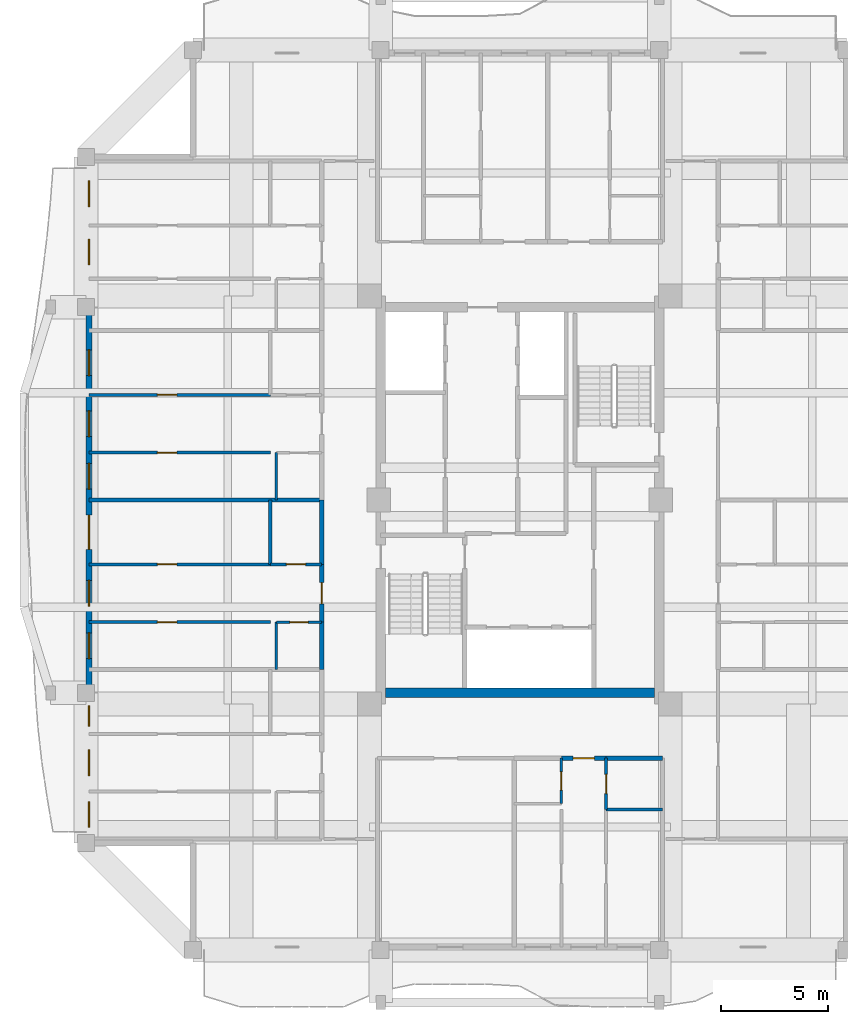
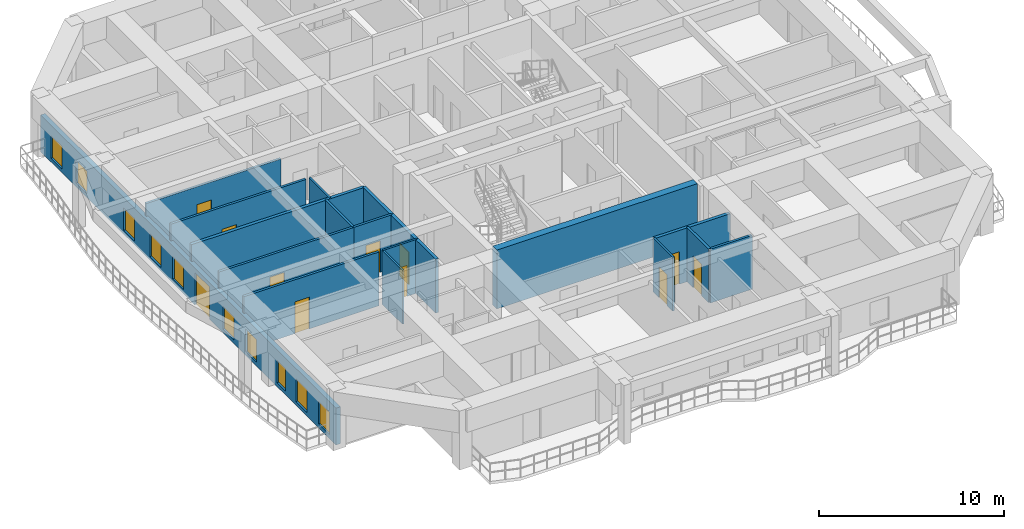
# One storey, part 3 of 13: 20 walls, 11 doors, 10 windows, 21 openings.
"""IFC4 building model written with IfcOpenShell, lengths in metres."""

import ifcopenshell
import ifcopenshell.guid

model = None  # the IFC model being written
_history = None  # IfcOwnerHistory: only IFC2X3 demands one
_inside = {}  # id of a spatial element -> (the spatial element, [elements in it])
_under = {}  # id of a project, library or spatial element -> (it, [spatial elements below it])
_declared = {}  # id of a project -> (the project, [libraries it declares])
_typed = {}  # id of a type object -> (the type object, [elements of that type])
_made_of = {}  # id of a material, layer set ... -> (it, [elements and type objects made of it])


def new_model(schema):
    """Start an empty IFC model of exactly this schema.

    Asked for "IFC4X3", IfcOpenShell would pick the latest addendum, in which some entities
    have other attributes; the version numbers below select the first issue.
    IFC2X3 requires an IfcOwnerHistory on every rooted entity: one is made here for all.
    """
    global model, _history
    if schema == "IFC4X3":
        model = ifcopenshell.file(schema_version=(4, 3, 0, 0))
    else:
        model = ifcopenshell.file(schema=schema)
    _inside.clear()
    _under.clear()
    _declared.clear()
    _typed.clear()
    _made_of.clear()
    _history = None
    if model.schema == "IFC2X3":
        org = make("IfcOrganization", Name="unknown")
        user = make(
            "IfcPersonAndOrganization",
            ThePerson=make("IfcPerson", FamilyName="unknown"),
            TheOrganization=org,
        )
        app = make(
            "IfcApplication",
            ApplicationDeveloper=org,
            Version="unknown",
            ApplicationFullName="unknown",
            ApplicationIdentifier="unknown",
        )
        _history = make(
            "IfcOwnerHistory",
            OwningUser=user,
            OwningApplication=app,
            ChangeAction="ADDED",
            CreationDate=0,
        )
    return model


def make(cls, **values):
    """One entity of the class cls with the attributes given. An attribute that is None is left unset."""
    return model.create_entity(
        cls, **{name: value for name, value in values.items() if value is not None}
    )


def rooted(cls, **values):
    """An entity with a GlobalId (a new one), such as an element, a storey or a relation."""
    return make(cls, GlobalId=ifcopenshell.guid.new(), OwnerHistory=_history, **values)


def si_unit(unit_type, name, prefix=None):
    """IfcSIUnit, for example si_unit("LENGTHUNIT", "METRE", prefix="MILLI")."""
    return make("IfcSIUnit", UnitType=unit_type, Prefix=prefix, Name=name)


def assignment(units):
    """IfcUnitAssignment: the units of a project."""
    return None if units is None else make("IfcUnitAssignment", Units=units)


def point(xyz):
    """IfcCartesianPoint."""
    return None if xyz is None else make("IfcCartesianPoint", Coordinates=xyz)


def direction(xyz):
    """IfcDirection."""
    return None if xyz is None else make("IfcDirection", DirectionRatios=xyz)


def frame(location, z_axis=None, x_axis=None):
    """IfcAxis2Placement3D, a coordinate frame: its origin and axes. An axis left out is left unset."""
    return make(
        "IfcAxis2Placement3D",
        Location=point(location),
        Axis=direction(z_axis),
        RefDirection=direction(x_axis),
    )


def frame_2d(location, x_axis=None):
    """IfcAxis2Placement2D, a coordinate frame in the plane: its origin and x axis."""
    return make(
        "IfcAxis2Placement2D", Location=point(location), RefDirection=direction(x_axis)
    )


def origin():
    """The frame at (0, 0, 0) with its axes left unset."""
    return frame((0.0, 0.0, 0.0))


def place(relative_to, where):
    """IfcLocalPlacement: puts the frame where relative to a parent placement (None: the world)."""
    return make(
        "IfcLocalPlacement", PlacementRelTo=relative_to, RelativePlacement=where
    )


def context(
    kind, dimensions, precision=None, world=None, true_north=None, identifier=None
):
    """IfcGeometricRepresentationContext, for example the 3D "Model" context."""
    return make(
        "IfcGeometricRepresentationContext",
        ContextIdentifier=identifier,
        ContextType=kind,
        CoordinateSpaceDimension=dimensions,
        Precision=precision,
        WorldCoordinateSystem=world,
        TrueNorth=true_north,
    )


def subcontext(parent, identifier, kind, view, scale=None):
    """IfcGeometricRepresentationSubContext, for example "Body" below "Model"."""
    return make(
        "IfcGeometricRepresentationSubContext",
        ContextIdentifier=identifier,
        ContextType=kind,
        ParentContext=parent,
        TargetScale=scale,
        TargetView=view,
    )


def project(units=None, contexts=None):
    """IfcProject with its units and contexts."""
    return rooted(
        "IfcProject",
        Name="project",
        RepresentationContexts=contexts,
        UnitsInContext=assignment(units),
    )


def spatial(cls, under=None, at=None, **own):
    """A site, building, storey or space (cls), placed at a placement, below another one or the project."""
    s = rooted(cls, ObjectPlacement=at, **own)
    if under is not None:
        _under.setdefault(under.id(), (under, []))[1].append(s)
    return s


def profile(cls, at=None, kind="AREA", **sizes):
    """A parametric profile (cls). Its sizes go by their IFC names, for example OverallWidth=200.0."""
    return make(cls, ProfileType=kind, Position=at, **sizes)


def rectangle(**sizes):
    """IfcRectangleProfileDef."""
    return profile("IfcRectangleProfileDef", **sizes)


def extrude(swept, where, along, depth):
    """IfcExtrudedAreaSolid: the profile swept, set in the frame where, extruded along a direction by depth."""
    return make(
        "IfcExtrudedAreaSolid",
        SweptArea=swept,
        Position=where,
        ExtrudedDirection=direction(along),
        Depth=depth,
    )


def shape(context_of_items, identifier, shape_type, items):
    """IfcShapeRepresentation: the items that make up one representation, for example the "Body"."""
    return make(
        "IfcShapeRepresentation",
        ContextOfItems=context_of_items,
        RepresentationIdentifier=identifier,
        RepresentationType=shape_type,
        Items=items,
    )


def source(mapping_origin, context_of_items, identifier, shape_type, items):
    """IfcRepresentationMap: a shape defined once, which mapped items show again and again."""
    return make(
        "IfcRepresentationMap",
        MappingOrigin=mapping_origin,
        MappedRepresentation=shape(context_of_items, identifier, shape_type, items),
    )


def transform(
    local_origin,
    x_axis=None,
    y_axis=None,
    z_axis=None,
    scale=None,
    scale2=None,
    scale3=None,
    uniform=True,
):
    """IfcCartesianTransformationOperator3D, or its non-uniform kind. x_axis, y_axis, z_axis: its Axis1, 2, 3."""
    if uniform:
        return make(
            "IfcCartesianTransformationOperator3D",
            Axis1=direction(x_axis),
            Axis2=direction(y_axis),
            LocalOrigin=point(local_origin),
            Scale=scale,
            Axis3=direction(z_axis),
        )
    return make(
        "IfcCartesianTransformationOperator3DnonUniform",
        Axis1=direction(x_axis),
        Axis2=direction(y_axis),
        LocalOrigin=point(local_origin),
        Scale=scale,
        Axis3=direction(z_axis),
        Scale2=scale2,
        Scale3=scale3,
    )


def mapped(mapping_source, mapping_target):
    """IfcMappedItem: shows the shape of a source again, moved by a transform."""
    return make(
        "IfcMappedItem", MappingSource=mapping_source, MappingTarget=mapping_target
    )


def material(Name=None, Category=None):
    """IfcMaterial."""
    return make("IfcMaterial", Name=Name, Category=Category)


def layer(
    of_material, thickness, ventilated=None, Name=None, Category=None, Priority=None
):
    """IfcMaterialLayer: one layer of a wall or slab, of a material (None: an air gap)."""
    return make(
        "IfcMaterialLayer",
        Material=of_material,
        LayerThickness=thickness,
        IsVentilated=ventilated,
        Name=Name,
        Category=Category,
        Priority=Priority,
    )


def layer_set(layers, Name=None):
    """IfcMaterialLayerSet."""
    return make("IfcMaterialLayerSet", MaterialLayers=layers, LayerSetName=Name)


def made_of(thing, what):
    """Note that an element or type object is made of a material, layer set ...; save() writes the relation."""
    if what is not None:
        _made_of.setdefault(what.id(), (what, []))[1].append(thing)
    return thing


def type_object(cls, material=None, **own):
    """A type object (cls), such as IfcWallType, which elements share."""
    return made_of(rooted(cls, **own), material)


def element(
    cls,
    number,
    at=None,
    inside=None,
    cuts=None,
    type_object=None,
    material=None,
    context=None,
    identifier="Body",
    shape_type=None,
    held_by="IfcProductDefinitionShape",
    body=None,
    shapes=None,
    **own,
):
    """One element of the class cls, such as IfcWall. Its Tag is "e" and its number.

    at: its placement. inside: the storey or other place that contains it. cuts: it is an
    opening in that element (IfcRelVoidsElement). A single representation is given by context,
    identifier, shape_type and body (its items); several are given by shapes. held_by: the class
    of the entity that holds the representations. save() writes the other relations.
    """
    e = rooted(cls, Tag="e%d" % number, ObjectPlacement=at, **own)
    if body is not None:
        shapes = [shape(context, identifier, shape_type, body)]
    if shapes is not None:
        e.Representation = make(held_by, Representations=shapes)
    if inside is not None:
        _inside.setdefault(inside.id(), (inside, []))[1].append(e)
    if cuts is not None:
        rooted(
            "IfcRelVoidsElement", RelatingBuildingElement=cuts, RelatedOpeningElement=e
        )
    if type_object is not None:
        _typed.setdefault(type_object.id(), (type_object, []))[1].append(e)
    return made_of(e, material)


def fill(opening, filler):
    """IfcRelFillsElement: the door or window that sits in an opening."""
    return rooted(
        "IfcRelFillsElement",
        RelatingOpeningElement=opening,
        RelatedBuildingElement=filler,
    )


def aggregate(whole, parts):
    """IfcRelAggregates: a whole, such as a stair, and the parts it consists of."""
    return rooted("IfcRelAggregates", RelatingObject=whole, RelatedObjects=parts)


def save(model, path):
    """Write the relations noted so far, then the file.

    IfcRelAggregates (storeys below a building ...), IfcRelContainedInSpatialStructure (elements
    in a storey), IfcRelDefinesByType, IfcRelAssociatesMaterial and IfcRelDeclares: one each for
    every whole, place, type object, material and project.
    """
    for whole, parts in _under.values():
        aggregate(whole, parts)
    for where, things in _inside.values():
        rooted(
            "IfcRelContainedInSpatialStructure",
            RelatedElements=things,
            RelatingStructure=where,
        )
    for kind, things in _typed.values():
        rooted("IfcRelDefinesByType", RelatedObjects=things, RelatingType=kind)
    for what, things in _made_of.values():
        rooted("IfcRelAssociatesMaterial", RelatedObjects=things, RelatingMaterial=what)
    for by, libraries in _declared.values():
        rooted("IfcRelDeclares", RelatingContext=by, RelatedDefinitions=libraries)
    model.write(path)


model = new_model("IFC4")

# Units and contexts
model_context = context("Model", 3, precision=1e-05, world=origin(), true_north=direction((0.0, 1.0)))
body_context = subcontext(model_context, "Body", "Model", "MODEL_VIEW")
ifc_project = project(units=[si_unit("LENGTHUNIT", "METRE"), si_unit("AREAUNIT", "SQUARE_METRE"), si_unit("VOLUMEUNIT", "CUBIC_METRE"), si_unit("PLANEANGLEUNIT", "RADIAN"), si_unit("MASSUNIT", "GRAM", prefix="KILO")], contexts=[model_context])

# Site, building, storey
site_placement = place(None, origin())
site = spatial("IfcSite", under=ifc_project, at=site_placement, CompositionType="ELEMENT")
building_placement = place(site_placement, origin())
building = spatial("IfcBuilding", under=site, at=building_placement, Name="Saelheon Loggia Tower", CompositionType="ELEMENT")
storey_placement = place(building_placement, frame((0.0, 0.0, 192.699951171875)))
storey = spatial("IfcBuildingStorey", under=building, at=storey_placement, Name="L60", CompositionType="ELEMENT", Elevation=192.699951171875)

# Wall
ifc_material_1 = material(Name="Concrete C45/55", Category="concrete")
ifc_layer_1 = layer(ifc_material_1, 0.449951171875)
ifc_layer_set_1 = layer_set([ifc_layer_1], Name="Concrete C45/55")
wall_type_1 = type_object("IfcWallType", Name="Wall_CoreShear_450", PredefinedType="SHEAR", material=ifc_layer_set_1)
wall_1_placement = place(storey_placement, frame((31.72509765625, 18.0, 0.0), z_axis=(0.0, 0.0, 1.0), x_axis=(1.0, 0.0, 0.0)))
element("IfcWall", 1, at=wall_1_placement, inside=storey, type_object=wall_type_1, Name="L60 Core Shear Wall South", PredefinedType="SHEAR", context=body_context, shape_type="SweptSolid", body=[
    extrude(rectangle(XDim=12.5498046875, YDim=0.449951171875, at=frame_2d((6.27490234375, 0.0))), origin(), (0.0, 0.0, 1.0), 3.900146484375),
])

# Wall, openings, windows, door
ifc_material_2 = material(Name="Architectural Precast Concrete C40/50", Category="concrete")
ifc_layer_2 = layer(ifc_material_2, 0.280029296875)
ifc_layer_set_2 = layer_set([ifc_layer_2], Name="Architectural Precast Concrete C40/50")
wall_type_2 = type_object("IfcWallType", Name="Wall_Ext_Loggia_280", PredefinedType="SOLIDWALL", material=ifc_layer_set_2)
wall_2_placement = place(storey_placement, frame((17.889892578125, 11.0, 0.0), z_axis=(0.0, 0.0, 1.0), x_axis=(0.0, 1.0, 0.0)))
wall_2 = element("IfcWall", 2, at=wall_2_placement, inside=storey, type_object=wall_type_2, Name="L60 West Loggia Inner Wall", PredefinedType="SOLIDWALL", context=body_context, shape_type="SweptSolid", body=[
    extrude(rectangle(XDim=32.0, YDim=0.280029296875, at=frame_2d((16.0, 0.0))), origin(), (0.0, 0.0, 1.0), 2.43994140625),
])
opening_1_placement = place(wall_2_placement, frame((0.71728515625, 0.0, 0.25)))
opening_1 = element("IfcOpeningElement", 3, at=opening_1_placement, cuts=wall_2, Name="Opening WN-03", PredefinedType="OPENING", context=body_context, shape_type="SweptSolid", body=[
    extrude(rectangle(XDim=1.199951171875, YDim=1.5, at=frame_2d((0.60009765625, 0.75))), frame((0.0, 0.152099609375, 0.0), z_axis=(0.0, -1.0, 0.0), x_axis=(1.0, 0.0, 0.0)), (0.0, 0.0, 1.0), 0.303955078125),
])
opening_2_placement = place(wall_2_placement, frame((3.139404296875, 0.0, 0.25)))
opening_2 = element("IfcOpeningElement", 4, at=opening_2_placement, cuts=wall_2, Name="Opening WN-03", PredefinedType="OPENING", context=body_context, shape_type="SweptSolid", body=[
    extrude(rectangle(XDim=1.199951171875, YDim=1.5, at=frame_2d((0.60009765625, 0.75))), frame((0.0, 0.152099609375, 0.0), z_axis=(0.0, -1.0, 0.0), x_axis=(1.0, 0.0, 0.0)), (0.0, 0.0, 1.0), 0.303955078125),
])
opening_3_placement = place(wall_2_placement, frame((5.447021484375, 0.0, 0.25)))
opening_3 = element("IfcOpeningElement", 5, at=opening_3_placement, cuts=wall_2, Name="Opening WN-04", PredefinedType="OPENING", context=body_context, shape_type="SweptSolid", body=[
    extrude(rectangle(XDim=0.949951171875, YDim=1.5, at=frame_2d((0.47509765625, 0.75))), frame((0.0, 0.152099609375, 0.0), z_axis=(0.0, -1.0, 0.0), x_axis=(1.0, 0.0, 0.0)), (0.0, 0.0, 1.0), 0.303955078125),
])
opening_4_placement = place(wall_2_placement, frame((8.597412109375, 0.0, 0.25)))
opening_4 = element("IfcOpeningElement", 6, at=opening_4_placement, cuts=wall_2, Name="Opening WN-03", PredefinedType="OPENING", context=body_context, shape_type="SweptSolid", body=[
    extrude(rectangle(XDim=1.199951171875, YDim=1.5, at=frame_2d((0.60009765625, 0.75))), frame((0.0, 0.152099609375, 0.0), z_axis=(0.0, -1.0, 0.0), x_axis=(1.0, 0.0, 0.0)), (0.0, 0.0, 1.0), 0.303955078125),
])
opening_5_placement = place(wall_2_placement, frame((11.049560546875, 0.0, 0.25)))
opening_5 = element("IfcOpeningElement", 7, at=opening_5_placement, cuts=wall_2, Name="Opening WN-03", PredefinedType="OPENING", context=body_context, shape_type="SweptSolid", body=[
    extrude(rectangle(XDim=1.199951171875, YDim=1.5, at=frame_2d((0.60009765625, 0.75))), frame((0.0, 0.152099609375, 0.0), z_axis=(0.0, -1.0, 0.0), x_axis=(1.0, 0.0, 0.0)), (0.0, 0.0, 1.0), 0.303955078125),
])
opening_6_placement = place(wall_2_placement, frame((13.697021484375, 0.0, 0.0)))
opening_6 = element("IfcOpeningElement", 8, at=opening_6_placement, cuts=wall_2, Name="Opening DLG-1", PredefinedType="OPENING", context=body_context, shape_type="SweptSolid", body=[
    extrude(rectangle(XDim=1.60009765625, YDim=2.14990234375, at=frame_2d((0.800048828125, 1.074951171875))), frame((0.0, 0.152099609375, 0.0), z_axis=(0.0, -1.0, 0.0), x_axis=(1.0, 0.0, 0.0)), (0.0, 0.0, 1.0), 0.303955078125),
])
opening_7_placement = place(wall_2_placement, frame((16.50732421875, 0.0, 0.25)))
opening_7 = element("IfcOpeningElement", 9, at=opening_7_placement, cuts=wall_2, Name="Opening WN-03", PredefinedType="OPENING", context=body_context, shape_type="SweptSolid", body=[
    extrude(rectangle(XDim=1.199951171875, YDim=1.5, at=frame_2d((0.60009765625, 0.75))), frame((0.0, 0.152099609375, 0.0), z_axis=(0.0, -1.0, 0.0), x_axis=(1.0, 0.0, 0.0)), (0.0, 0.0, 1.0), 0.303955078125),
])
opening_8_placement = place(wall_2_placement, frame((18.95947265625, 0.0, 0.25)))
opening_8 = element("IfcOpeningElement", 10, at=opening_8_placement, cuts=wall_2, Name="Opening WN-03", PredefinedType="OPENING", context=body_context, shape_type="SweptSolid", body=[
    extrude(rectangle(XDim=1.199951171875, YDim=1.5, at=frame_2d((0.60009765625, 0.75))), frame((0.0, 0.152099609375, 0.0), z_axis=(0.0, -1.0, 0.0), x_axis=(1.0, 0.0, 0.0)), (0.0, 0.0, 1.0), 0.303955078125),
])
opening_9_placement = place(wall_2_placement, frame((21.80712890625, 0.0, 0.25)))
opening_9 = element("IfcOpeningElement", 11, at=opening_9_placement, cuts=wall_2, Name="Opening WN-03", PredefinedType="OPENING", context=body_context, shape_type="SweptSolid", body=[
    extrude(rectangle(XDim=1.199951171875, YDim=1.5, at=frame_2d((0.60009765625, 0.75))), frame((0.0, 0.152099609375, 0.0), z_axis=(0.0, -1.0, 0.0), x_axis=(1.0, 0.0, 0.0)), (0.0, 0.0, 1.0), 0.303955078125),
])
opening_10_placement = place(wall_2_placement, frame((26.967041015625, 0.0, 0.25)))
opening_10 = element("IfcOpeningElement", 12, at=opening_10_placement, cuts=wall_2, Name="Opening WN-03", PredefinedType="OPENING", context=body_context, shape_type="SweptSolid", body=[
    extrude(rectangle(XDim=1.199951171875, YDim=1.5, at=frame_2d((0.60009765625, 0.75))), frame((0.0, 0.152099609375, 0.0), z_axis=(0.0, -1.0, 0.0), x_axis=(1.0, 0.0, 0.0)), (0.0, 0.0, 1.0), 0.303955078125),
])
opening_11_placement = place(wall_2_placement, frame((29.68701171875, 0.0, 0.25)))
opening_11 = element("IfcOpeningElement", 13, at=opening_11_placement, cuts=wall_2, Name="Opening WN-03", PredefinedType="OPENING", context=body_context, shape_type="SweptSolid", body=[
    extrude(rectangle(XDim=1.199951171875, YDim=1.5, at=frame_2d((0.60009765625, 0.75))), frame((0.0, 0.152099609375, 0.0), z_axis=(0.0, -1.0, 0.0), x_axis=(1.0, 0.0, 0.0)), (0.0, 0.0, 1.0), 0.303955078125),
])
ifc_material_3 = material(Name="Thermal-Break Aluminium and Triple Low-E Glass", Category="aluminium")
window_type_1 = type_object("IfcWindowType", Name="Win_Bedroom_1200x1500", PartitioningType="SINGLE_PANEL", PredefinedType="WINDOW", material=ifc_material_3)
shared_shape_1 = source(origin(), body_context, "Body", "SweptSolid", [
    extrude(rectangle(XDim=1.199951171875, YDim=1.5, at=frame_2d((0.60009765625, 0.75))), frame((0.0, 0.030029296875, 0.0), z_axis=(0.0, -1.0, 0.0), x_axis=(1.0, 0.0, 0.0)), (0.0, 0.0, 1.0), 0.06005859375),
])
window_1_placement = place(opening_1_placement, origin())
window_1 = element("IfcWindow", 14, at=window_1_placement, inside=storey, type_object=window_type_1, Name="L60 W Dwelling Window 1", OverallHeight=1.5, OverallWidth=1.199951171875, PartitioningType="SINGLE_PANEL", PredefinedType="WINDOW", context=body_context, shape_type="MappedRepresentation", body=[
    mapped(shared_shape_1, transform((0.0, 0.0, 0.0), scale=1.0)),
])
fill(opening_1, window_1)
window_2_placement = place(opening_2_placement, origin())
window_2 = element("IfcWindow", 15, at=window_2_placement, inside=storey, type_object=window_type_1, Name="L60 W Dwelling Window 2", OverallHeight=1.5, OverallWidth=1.199951171875, PartitioningType="SINGLE_PANEL", PredefinedType="WINDOW", context=body_context, shape_type="MappedRepresentation", body=[
    mapped(shared_shape_1, transform((0.0, 0.0, 0.0), scale=1.0)),
])
fill(opening_2, window_2)
window_3_placement = place(opening_4_placement, origin())
window_3 = element("IfcWindow", 16, at=window_3_placement, inside=storey, type_object=window_type_1, Name="L60 W Dwelling Window 4", OverallHeight=1.5, OverallWidth=1.199951171875, PartitioningType="SINGLE_PANEL", PredefinedType="WINDOW", context=body_context, shape_type="MappedRepresentation", body=[
    mapped(shared_shape_1, transform((0.0, 0.0, 0.0), scale=1.0)),
])
fill(opening_4, window_3)
window_4_placement = place(opening_5_placement, origin())
window_4 = element("IfcWindow", 17, at=window_4_placement, inside=storey, type_object=window_type_1, Name="L60 W Dwelling Window 5", OverallHeight=1.5, OverallWidth=1.199951171875, PartitioningType="SINGLE_PANEL", PredefinedType="WINDOW", context=body_context, shape_type="MappedRepresentation", body=[
    mapped(shared_shape_1, transform((0.0, 0.0, 0.0), scale=1.0)),
])
fill(opening_5, window_4)
window_5_placement = place(opening_7_placement, origin())
window_5 = element("IfcWindow", 18, at=window_5_placement, inside=storey, type_object=window_type_1, Name="L60 W Dwelling Window 7", OverallHeight=1.5, OverallWidth=1.199951171875, PartitioningType="SINGLE_PANEL", PredefinedType="WINDOW", context=body_context, shape_type="MappedRepresentation", body=[
    mapped(shared_shape_1, transform((0.0, 0.0, 0.0), scale=1.0)),
])
fill(opening_7, window_5)
window_6_placement = place(opening_8_placement, origin())
window_6 = element("IfcWindow", 19, at=window_6_placement, inside=storey, type_object=window_type_1, Name="L60 W Dwelling Window 8", OverallHeight=1.5, OverallWidth=1.199951171875, PartitioningType="SINGLE_PANEL", PredefinedType="WINDOW", context=body_context, shape_type="MappedRepresentation", body=[
    mapped(shared_shape_1, transform((0.0, 0.0, 0.0), scale=1.0)),
])
fill(opening_8, window_6)
window_7_placement = place(opening_9_placement, origin())
window_7 = element("IfcWindow", 20, at=window_7_placement, inside=storey, type_object=window_type_1, Name="L60 W Dwelling Window 9", OverallHeight=1.5, OverallWidth=1.199951171875, PartitioningType="SINGLE_PANEL", PredefinedType="WINDOW", context=body_context, shape_type="MappedRepresentation", body=[
    mapped(shared_shape_1, transform((0.0, 0.0, 0.0), scale=1.0)),
])
fill(opening_9, window_7)
window_8_placement = place(opening_10_placement, origin())
window_8 = element("IfcWindow", 21, at=window_8_placement, inside=storey, type_object=window_type_1, Name="L60 W Dwelling Window 10", OverallHeight=1.5, OverallWidth=1.199951171875, PartitioningType="SINGLE_PANEL", PredefinedType="WINDOW", context=body_context, shape_type="MappedRepresentation", body=[
    mapped(shared_shape_1, transform((0.0, 0.0, 0.0), scale=1.0)),
])
fill(opening_10, window_8)
window_9_placement = place(opening_11_placement, origin())
window_9 = element("IfcWindow", 22, at=window_9_placement, inside=storey, type_object=window_type_1, Name="L60 W Dwelling Window 11", OverallHeight=1.5, OverallWidth=1.199951171875, PartitioningType="SINGLE_PANEL", PredefinedType="WINDOW", context=body_context, shape_type="MappedRepresentation", body=[
    mapped(shared_shape_1, transform((0.0, 0.0, 0.0), scale=1.0)),
])
fill(opening_11, window_9)
window_type_2 = type_object("IfcWindowType", Name="Win_Narrow_950x1500", PartitioningType="SINGLE_PANEL", PredefinedType="WINDOW", material=ifc_material_3)
shared_shape_2 = source(origin(), body_context, "Body", "SweptSolid", [
    extrude(rectangle(XDim=0.949951171875, YDim=1.5, at=frame_2d((0.47509765625, 0.75))), frame((0.0, 0.030029296875, 0.0), z_axis=(0.0, -1.0, 0.0), x_axis=(1.0, 0.0, 0.0)), (0.0, 0.0, 1.0), 0.06005859375),
])
window_10_placement = place(opening_3_placement, origin())
window_10 = element("IfcWindow", 23, at=window_10_placement, inside=storey, type_object=window_type_2, Name="L60 W Dwelling Window 3", OverallHeight=1.5, OverallWidth=0.949951171875, PartitioningType="SINGLE_PANEL", PredefinedType="WINDOW", context=body_context, shape_type="MappedRepresentation", body=[
    mapped(shared_shape_2, transform((0.0, 0.0, 0.0), scale=1.0)),
])
fill(opening_3, window_10)
ifc_material_4 = material(Name="Thermal-Break Aluminium Sliding Glazed Door", Category="aluminium")
door_type_1 = type_object("IfcDoorType", Name="Door_LoggiaSlide_1600", OperationType="SLIDING_TO_LEFT", PredefinedType="DOOR", material=ifc_material_4)
shared_shape_3 = source(origin(), body_context, "Body", "SweptSolid", [
    extrude(rectangle(XDim=1.60009765625, YDim=2.14990234375, at=frame_2d((0.800048828125, 1.074951171875))), frame((0.0, 0.02490234375, 0.0), z_axis=(0.0, -1.0, 0.0), x_axis=(1.0, 0.0, 0.0)), (0.0, 0.0, 1.0), 0.050048828125),
])
door_1_placement = place(opening_6_placement, origin())
door_1 = element("IfcDoor", 24, at=door_1_placement, inside=storey, type_object=door_type_1, Name="L60 W Loggia Access Door", OperationType="SLIDING_TO_LEFT", OverallHeight=2.14990234375, OverallWidth=1.60009765625, PredefinedType="DOOR", context=body_context, shape_type="MappedRepresentation", body=[
    mapped(shared_shape_3, transform((0.0, 0.0, 0.0), scale=1.0)),
])
fill(opening_6, door_1)

# Wall
ifc_material_5 = material(Name="Lightweight Autoclaved Aerated Concrete Block and Acoustic Gypsum", Category="concrete")
ifc_layer_3 = layer(ifc_material_5, 0.14990234375)
ifc_layer_set_3 = layer_set([ifc_layer_3], Name="Lightweight Autoclaved Aerated Concrete Block and Acoustic Gypsum")
wall_type_3 = type_object("IfcWallType", Name="Wall_Part_150", PredefinedType="PARTITIONING", material=ifc_layer_set_3)
wall_3_placement = place(storey_placement, frame((42.02197265625, 12.550048828125, 0.0), z_axis=(0.0, 0.0, 1.0), x_axis=(1.0, 0.0, 0.0)))
element("IfcWall", 25, at=wall_3_placement, inside=storey, type_object=wall_type_3, Name="L60 S Partition V09", PredefinedType="PARTITIONING", context=body_context, shape_type="SweptSolid", body=[
    extrude(rectangle(XDim=2.6279296875, YDim=0.14990234375, at=frame_2d((1.31396484375, 0.0))), origin(), (0.0, 0.0, 1.0), 3.56005859375),
])

# Wall, opening, door
wall_4_placement = place(storey_placement, frame((42.02197265625, 14.949951171875, 0.0), z_axis=(0.0, 0.0, 1.0), x_axis=(0.0, -1.0, 0.0)))
wall_4 = element("IfcWall", 26, at=wall_4_placement, inside=storey, type_object=wall_type_3, Name="L60 S Partition U12", PredefinedType="PARTITIONING", context=body_context, shape_type="SweptSolid", body=[
    extrude(rectangle(XDim=2.39990234375, YDim=0.14990234375, at=frame_2d((1.199951171875, 0.0))), origin(), (0.0, 0.0, 1.0), 3.56005859375),
])
opening_12_placement = place(wall_4_placement, frame((0.75, 0.0, 0.0)))
opening_12 = element("IfcOpeningElement", 27, at=opening_12_placement, cuts=wall_4, Name="Opening D-IN2", PredefinedType="OPENING", context=body_context, shape_type="SweptSolid", body=[
    extrude(rectangle(XDim=0.89990234375, YDim=2.10009765625, at=frame_2d((0.449951171875, 1.050048828125))), frame((0.0, 0.0869140625, 0.0), z_axis=(0.0, -1.0, 0.0), x_axis=(1.0, 0.0, 0.0)), (0.0, 0.0, 1.0), 0.173828125),
])
ifc_material_6 = material(Name="Engineered Oak Flush Door", Category="timber")
door_type_2 = type_object("IfcDoorType", Name="Door_Int_900", OperationType="NOTDEFINED", PredefinedType="DOOR", material=ifc_material_6)
shared_shape_4 = source(origin(), body_context, "Body", "SweptSolid", [
    extrude(rectangle(XDim=0.89990234375, YDim=2.10009765625, at=frame_2d((0.449951171875, 1.050048828125))), frame((0.0, 0.02490234375, 0.0), z_axis=(0.0, -1.0, 0.0), x_axis=(1.0, 0.0, 0.0)), (0.0, 0.0, 1.0), 0.050048828125),
])
door_2_placement = place(opening_12_placement, origin())
door_2 = element("IfcDoor", 28, at=door_2_placement, inside=storey, type_object=door_type_2, Name="Unit U01 Dressing Closet Door", OperationType="SINGLE_SWING_LEFT", OverallHeight=2.10009765625, OverallWidth=0.89990234375, PredefinedType="DOOR", context=body_context, shape_type="MappedRepresentation", body=[
    mapped(shared_shape_4, transform((0.0, 0.0, 0.0), scale=1.0)),
])
fill(opening_12, door_2)

# Wall
wall_5_placement = place(storey_placement, frame((26.35009765625, 23.994140625, 0.0), z_axis=(0.0, 0.0, 1.0), x_axis=(0.0, 1.0, 0.0)))
element("IfcWall", 29, at=wall_5_placement, inside=storey, type_object=wall_type_3, Name="L60 W Partition V17", PredefinedType="PARTITIONING", context=body_context, shape_type="SweptSolid", body=[
    extrude(rectangle(XDim=3.005859375, YDim=0.14990234375, at=frame_2d((1.5029296875, 0.0))), origin(), (0.0, 0.0, 1.0), 3.56005859375),
])

# Wall, opening, door
wall_6_placement = place(storey_placement, frame((26.35009765625, 21.3046875, 0.0), z_axis=(0.0, 0.0, 1.0), x_axis=(-1.0, 0.0, 0.0)))
wall_6 = element("IfcWall", 30, at=wall_6_placement, inside=storey, type_object=wall_type_3, Name="L60 W Partition U19", PredefinedType="PARTITIONING", context=body_context, shape_type="SweptSolid", body=[
    extrude(rectangle(XDim=8.4501953125, YDim=0.14990234375, at=frame_2d((4.22509765625, 0.0))), origin(), (0.0, 0.0, 1.0), 3.56005859375),
])
opening_13_placement = place(wall_6_placement, frame((4.3642578125, 0.0, 0.0)))
opening_13 = element("IfcOpeningElement", 31, at=opening_13_placement, cuts=wall_6, Name="Opening D-IN2", PredefinedType="OPENING", context=body_context, shape_type="SweptSolid", body=[
    extrude(rectangle(XDim=0.89990234375, YDim=2.10009765625, at=frame_2d((0.449951171875, 1.050048828125))), frame((0.0, 0.0869140625, 0.0), z_axis=(0.0, -1.0, 0.0), x_axis=(1.0, 0.0, 0.0)), (0.0, 0.0, 1.0), 0.173828125),
])
door_3_placement = place(opening_13_placement, origin())
door_3 = element("IfcDoor", 32, at=door_3_placement, inside=storey, type_object=door_type_2, Name="Unit U05 Kitchen Door", OperationType="SINGLE_SWING_LEFT", OverallHeight=2.10009765625, OverallWidth=0.89990234375, PredefinedType="DOOR", context=body_context, shape_type="MappedRepresentation", body=[
    mapped(shared_shape_4, transform((0.0, 0.0, 0.0), scale=1.0)),
])
fill(opening_13, door_3)

wall_7_placement = place(storey_placement, frame((28.75, 23.994140625, 0.0), z_axis=(0.0, 0.0, 1.0), x_axis=(-1.0, 0.0, 0.0)))
wall_7 = element("IfcWall", 33, at=wall_7_placement, inside=storey, type_object=wall_type_3, Name="L60 W Partition U20", PredefinedType="PARTITIONING", context=body_context, shape_type="SweptSolid", body=[
    extrude(rectangle(XDim=2.39990234375, YDim=0.14990234375, at=frame_2d((1.199951171875, 0.0))), origin(), (0.0, 0.0, 1.0), 3.56005859375),
])
opening_14_placement = place(wall_7_placement, frame((0.75, 0.0, 0.0)))
opening_14 = element("IfcOpeningElement", 34, at=opening_14_placement, cuts=wall_7, Name="Opening D-IN2", PredefinedType="OPENING", context=body_context, shape_type="SweptSolid", body=[
    extrude(rectangle(XDim=0.89990234375, YDim=2.10009765625, at=frame_2d((0.449951171875, 1.050048828125))), frame((0.0, 0.0869140625, 0.0), z_axis=(0.0, -1.0, 0.0), x_axis=(1.0, 0.0, 0.0)), (0.0, 0.0, 1.0), 0.173828125),
])
door_4_placement = place(opening_14_placement, origin())
door_4 = element("IfcDoor", 35, at=door_4_placement, inside=storey, type_object=door_type_2, Name="Unit U05 Dressing Closet Door", OperationType="SINGLE_SWING_RIGHT", OverallHeight=2.10009765625, OverallWidth=0.89990234375, PredefinedType="DOOR", context=body_context, shape_type="MappedRepresentation", body=[
    mapped(shared_shape_4, transform((0.0, 0.0, 0.0), scale=1.0)),
])
fill(opening_14, door_4)

wall_8_placement = place(storey_placement, frame((26.35009765625, 23.994140625, 0.0), z_axis=(0.0, 0.0, 1.0), x_axis=(-1.0, 0.0, 0.0)))
wall_8 = element("IfcWall", 36, at=wall_8_placement, inside=storey, type_object=wall_type_3, Name="L60 W Partition U21", PredefinedType="PARTITIONING", context=body_context, shape_type="SweptSolid", body=[
    extrude(rectangle(XDim=8.4501953125, YDim=0.14990234375, at=frame_2d((4.22509765625, 0.0))), origin(), (0.0, 0.0, 1.0), 3.56005859375),
])
opening_15_placement = place(wall_8_placement, frame((4.3642578125, 0.0, 0.0)))
opening_15 = element("IfcOpeningElement", 37, at=opening_15_placement, cuts=wall_8, Name="Opening D-IN2", PredefinedType="OPENING", context=body_context, shape_type="SweptSolid", body=[
    extrude(rectangle(XDim=0.89990234375, YDim=2.10009765625, at=frame_2d((0.449951171875, 1.050048828125))), frame((0.0, 0.0869140625, 0.0), z_axis=(0.0, -1.0, 0.0), x_axis=(1.0, 0.0, 0.0)), (0.0, 0.0, 1.0), 0.173828125),
])
door_5_placement = place(opening_15_placement, origin())
door_5 = element("IfcDoor", 38, at=door_5_placement, inside=storey, type_object=door_type_2, Name="Unit U05 Bedroom 1 Door", OperationType="SINGLE_SWING_LEFT", OverallHeight=2.10009765625, OverallWidth=0.89990234375, PredefinedType="DOOR", context=body_context, shape_type="MappedRepresentation", body=[
    mapped(shared_shape_4, transform((0.0, 0.0, 0.0), scale=1.0)),
])
fill(opening_15, door_5)

wall_9_placement = place(storey_placement, frame((26.35009765625, 29.21484375, 0.0), z_axis=(0.0, 0.0, 1.0), x_axis=(-1.0, 0.0, 0.0)))
wall_9 = element("IfcWall", 39, at=wall_9_placement, inside=storey, type_object=wall_type_3, Name="L60 W Partition U29", PredefinedType="PARTITIONING", context=body_context, shape_type="SweptSolid", body=[
    extrude(rectangle(XDim=8.4501953125, YDim=0.14990234375, at=frame_2d((4.22509765625, 0.0))), origin(), (0.0, 0.0, 1.0), 3.56005859375),
])
opening_16_placement = place(wall_9_placement, frame((4.3642578125, 0.0, 0.0)))
opening_16 = element("IfcOpeningElement", 40, at=opening_16_placement, cuts=wall_9, Name="Opening D-IN2", PredefinedType="OPENING", context=body_context, shape_type="SweptSolid", body=[
    extrude(rectangle(XDim=0.89990234375, YDim=2.10009765625, at=frame_2d((0.449951171875, 1.050048828125))), frame((0.0, 0.0869140625, 0.0), z_axis=(0.0, -1.0, 0.0), x_axis=(1.0, 0.0, 0.0)), (0.0, 0.0, 1.0), 0.173828125),
])
door_6_placement = place(opening_16_placement, origin())
door_6 = element("IfcDoor", 41, at=door_6_placement, inside=storey, type_object=door_type_2, Name="Unit U06 Kitchen Door", OperationType="SINGLE_SWING_RIGHT", OverallHeight=2.10009765625, OverallWidth=0.89990234375, PredefinedType="DOOR", context=body_context, shape_type="MappedRepresentation", body=[
    mapped(shared_shape_4, transform((0.0, 0.0, 0.0), scale=1.0)),
])
fill(opening_16, door_6)

wall_10_placement = place(storey_placement, frame((26.35009765625, 31.904296875, 0.0), z_axis=(0.0, 0.0, 1.0), x_axis=(-1.0, 0.0, 0.0)))
wall_10 = element("IfcWall", 42, at=wall_10_placement, inside=storey, type_object=wall_type_3, Name="L60 W Partition U31", PredefinedType="PARTITIONING", context=body_context, shape_type="SweptSolid", body=[
    extrude(rectangle(XDim=8.4501953125, YDim=0.14990234375, at=frame_2d((4.22509765625, 0.0))), origin(), (0.0, 0.0, 1.0), 3.2900390625),
])
opening_17_placement = place(wall_10_placement, frame((4.3642578125, 0.0, 0.0)))
opening_17 = element("IfcOpeningElement", 43, at=opening_17_placement, cuts=wall_10, Name="Opening D-IN2", PredefinedType="OPENING", context=body_context, shape_type="SweptSolid", body=[
    extrude(rectangle(XDim=0.89990234375, YDim=2.10009765625, at=frame_2d((0.449951171875, 1.050048828125))), frame((0.0, 0.0869140625, 0.0), z_axis=(0.0, -1.0, 0.0), x_axis=(1.0, 0.0, 0.0)), (0.0, 0.0, 1.0), 0.173828125),
])
door_7_placement = place(opening_17_placement, origin())
door_7 = element("IfcDoor", 44, at=door_7_placement, inside=storey, type_object=door_type_2, Name="Unit U06 Bedroom 1 Door", OperationType="SINGLE_SWING_RIGHT", OverallHeight=2.10009765625, OverallWidth=0.89990234375, PredefinedType="DOOR", context=body_context, shape_type="MappedRepresentation", body=[
    mapped(shared_shape_4, transform((0.0, 0.0, 0.0), scale=1.0)),
])
fill(opening_17, door_7)

ifc_material_7 = material(Name="Double Acoustic Stud and Fireboard Partition", Category="gypsum")
ifc_layer_4 = layer(ifc_material_7, 0.199951171875)
ifc_layer_set_4 = layer_set([ifc_layer_4], Name="Double Acoustic Stud and Fireboard Partition")
wall_type_4 = type_object("IfcWallType", Name="Wall_Party_200", PredefinedType="PARTITIONING", material=ifc_layer_set_4)
wall_11_placement = place(storey_placement, frame((39.93408203125, 14.949951171875, 0.0), z_axis=(0.0, 0.0, 1.0), x_axis=(1.0, 0.0, 0.0)))
wall_11 = element("IfcWall", 45, at=wall_11_placement, inside=storey, type_object=wall_type_4, Name="L60 S Partition V06", PredefinedType="PARTITIONING", context=body_context, shape_type="SweptSolid", body=[
    extrude(rectangle(XDim=2.087890625, YDim=0.199951171875, at=frame_2d((1.0439453125, 0.0))), origin(), (0.0, 0.0, 1.0), 3.56005859375),
])
opening_18_placement = place(wall_11_placement, frame((0.5439453125, 0.0, 0.0)))
opening_18 = element("IfcOpeningElement", 46, at=opening_18_placement, cuts=wall_11, Name="Opening D-FD1", PredefinedType="OPENING", context=body_context, shape_type="SweptSolid", body=[
    extrude(rectangle(XDim=1.0, YDim=2.14990234375, at=frame_2d((0.5, 1.074951171875))), frame((0.0, 0.112060546875, 0.0), z_axis=(0.0, -1.0, 0.0), x_axis=(1.0, 0.0, 0.0)), (0.0, 0.0, 1.0), 0.223876953125),
])
ifc_material_8 = material(Name="Fire-Rated Engineered Timber Entrance Door", Category="wood")
door_type_3 = type_object("IfcDoorType", Name="Door_Flat_FD30S", OperationType="NOTDEFINED", PredefinedType="DOOR", material=ifc_material_8)
shared_shape_5 = source(origin(), body_context, "Body", "SweptSolid", [
    extrude(rectangle(XDim=1.0, YDim=2.14990234375, at=frame_2d((0.5, 1.074951171875))), frame((0.0, 0.02490234375, 0.0), z_axis=(0.0, -1.0, 0.0), x_axis=(1.0, 0.0, 0.0)), (0.0, 0.0, 1.0), 0.050048828125),
])
door_8_placement = place(opening_18_placement, origin())
door_8 = element("IfcDoor", 47, at=door_8_placement, inside=storey, type_object=door_type_3, Name="Unit U01 Entrance Door", OperationType="SINGLE_SWING_RIGHT", OverallHeight=2.14990234375, OverallWidth=1.0, PredefinedType="DOOR", context=body_context, shape_type="MappedRepresentation", body=[
    mapped(shared_shape_5, transform((0.0, 0.0, 0.0), scale=1.0)),
])
fill(opening_18, door_8)

# Walls
wall_12_placement = place(storey_placement, frame((42.02197265625, 14.949951171875, 0.0), z_axis=(0.0, 0.0, 1.0), x_axis=(1.0, 0.0, 0.0)))
element("IfcWall", 48, at=wall_12_placement, inside=storey, type_object=wall_type_4, Name="L60 S Partition V07", PredefinedType="PARTITIONING", context=body_context, shape_type="SweptSolid", body=[
    extrude(rectangle(XDim=2.6279296875, YDim=0.199951171875, at=frame_2d((1.31396484375, 0.0))), origin(), (0.0, 0.0, 1.0), 3.56005859375),
])
wall_13_placement = place(storey_placement, frame((28.75, 19.090087890625, 0.0), z_axis=(0.0, 0.0, 1.0), x_axis=(0.0, 1.0, 0.0)))
element("IfcWall", 49, at=wall_13_placement, inside=storey, type_object=wall_type_4, Name="L60 W Partition V13", PredefinedType="PARTITIONING", context=body_context, shape_type="SweptSolid", body=[
    extrude(rectangle(XDim=2.214599609375, YDim=0.199951171875, at=frame_2d((1.107421875, 0.0))), origin(), (0.0, 0.0, 1.0), 3.56005859375),
])

# Wall, opening, door
wall_14_placement = place(storey_placement, frame((28.75, 21.3046875, 0.0), z_axis=(0.0, 0.0, 1.0), x_axis=(0.0, 1.0, 0.0)))
wall_14 = element("IfcWall", 50, at=wall_14_placement, inside=storey, type_object=wall_type_4, Name="L60 W Partition V14", PredefinedType="PARTITIONING", context=body_context, shape_type="SweptSolid", body=[
    extrude(rectangle(XDim=2.689453125, YDim=0.199951171875, at=frame_2d((1.3447265625, 0.0))), origin(), (0.0, 0.0, 1.0), 3.56005859375),
])
opening_19_placement = place(wall_14_placement, frame((0.8447265625, 0.0, 0.0)))
opening_19 = element("IfcOpeningElement", 51, at=opening_19_placement, cuts=wall_14, Name="Opening D-FD1", PredefinedType="OPENING", context=body_context, shape_type="SweptSolid", body=[
    extrude(rectangle(XDim=1.0, YDim=2.14990234375, at=frame_2d((0.5, 1.074951171875))), frame((0.0, 0.112060546875, 0.0), z_axis=(0.0, -1.0, 0.0), x_axis=(1.0, 0.0, 0.0)), (0.0, 0.0, 1.0), 0.223876953125),
])
door_9_placement = place(opening_19_placement, origin())
door_9 = element("IfcDoor", 52, at=door_9_placement, inside=storey, type_object=door_type_3, Name="Unit U05 Entrance Door", OperationType="SINGLE_SWING_LEFT", OverallHeight=2.14990234375, OverallWidth=1.0, PredefinedType="DOOR", context=body_context, shape_type="MappedRepresentation", body=[
    mapped(shared_shape_5, transform((0.0, 0.0, 0.0), scale=1.0)),
])
fill(opening_19, door_9)

# Walls
wall_15_placement = place(storey_placement, frame((28.75, 23.994140625, 0.0), z_axis=(0.0, 0.0, 1.0), x_axis=(0.0, 1.0, 0.0)))
element("IfcWall", 53, at=wall_15_placement, inside=storey, type_object=wall_type_4, Name="L60 W Partition V15", PredefinedType="PARTITIONING", context=body_context, shape_type="SweptSolid", body=[
    extrude(rectangle(XDim=3.005859375, YDim=0.199951171875, at=frame_2d((1.5029296875, 0.0))), origin(), (0.0, 0.0, 1.0), 3.56005859375),
])
wall_16_placement = place(storey_placement, frame((28.75, 27.0, 0.0), z_axis=(0.0, 0.0, 1.0), x_axis=(-1.0, 0.0, 0.0)))
element("IfcWall", 54, at=wall_16_placement, inside=storey, type_object=wall_type_4, Name="L60 W Partition U22", PredefinedType="PARTITIONING", context=body_context, shape_type="SweptSolid", body=[
    extrude(rectangle(XDim=10.85009765625, YDim=0.199951171875, at=frame_2d((5.425048828125, 0.0))), origin(), (0.0, 0.0, 1.0), 3.56005859375),
])

# Wall, opening, door
ifc_material_9 = material(Name="Moisture-Resistant Cement Board Partition", Category="gypsum")
ifc_layer_5 = layer(ifc_material_9, 0.1201171875)
ifc_layer_set_5 = layer_set([ifc_layer_5], Name="Moisture-Resistant Cement Board Partition")
wall_type_5 = type_object("IfcWallType", Name="Wall_WetPart_120", PredefinedType="PARTITIONING", material=ifc_layer_set_5)
wall_17_placement = place(storey_placement, frame((39.93408203125, 14.949951171875, 0.0), z_axis=(0.0, 0.0, 1.0), x_axis=(0.0, -1.0, 0.0)))
wall_17 = element("IfcWall", 55, at=wall_17_placement, inside=storey, type_object=wall_type_5, Name="L60 S Partition U10", PredefinedType="PARTITIONING", context=body_context, shape_type="SweptSolid", body=[
    extrude(rectangle(XDim=2.119873046875, YDim=0.1201171875, at=frame_2d((1.06005859375, 0.0))), origin(), (0.0, 0.0, 1.0), 3.56005859375),
])
opening_20_placement = place(wall_17_placement, frame((0.635009765625, 0.0, 0.0)))
opening_20 = element("IfcOpeningElement", 56, at=opening_20_placement, cuts=wall_17, Name="Opening D-BT1", PredefinedType="OPENING", context=body_context, shape_type="SweptSolid", body=[
    extrude(rectangle(XDim=0.85009765625, YDim=2.050048828125, at=frame_2d((0.425048828125, 1.02490234375))), frame((0.0, 0.072021484375, 0.0), z_axis=(0.0, -1.0, 0.0), x_axis=(1.0, 0.0, 0.0)), (0.0, 0.0, 1.0), 0.14404296875),
])
ifc_material_10 = material(Name="Moisture-Resistant Laminate Timber Door", Category="wood")
door_type_4 = type_object("IfcDoorType", Name="Door_Bath_850", OperationType="NOTDEFINED", PredefinedType="DOOR", material=ifc_material_10)
shared_shape_6 = source(origin(), body_context, "Body", "SweptSolid", [
    extrude(rectangle(XDim=0.85009765625, YDim=2.050048828125, at=frame_2d((0.425048828125, 1.02490234375))), frame((0.0, 0.02490234375, 0.0), z_axis=(0.0, -1.0, 0.0), x_axis=(1.0, 0.0, 0.0)), (0.0, 0.0, 1.0), 0.050048828125),
])
door_10_placement = place(opening_20_placement, origin())
door_10 = element("IfcDoor", 57, at=door_10_placement, inside=storey, type_object=door_type_4, Name="Unit U01 Bathroom Door", OperationType="SINGLE_SWING_LEFT", OverallHeight=2.050048828125, OverallWidth=0.85009765625, PredefinedType="DOOR", context=body_context, shape_type="MappedRepresentation", body=[
    mapped(shared_shape_6, transform((0.0, 0.0, 0.0), scale=1.0)),
])
fill(opening_20, door_10)

# Wall
wall_18_placement = place(storey_placement, frame((26.6298828125, 19.090087890625, 0.0), z_axis=(0.0, 0.0, 1.0), x_axis=(0.0, 1.0, 0.0)))
element("IfcWall", 58, at=wall_18_placement, inside=storey, type_object=wall_type_5, Name="L60 W Partition V16", PredefinedType="PARTITIONING", context=body_context, shape_type="SweptSolid", body=[
    extrude(rectangle(XDim=2.214599609375, YDim=0.1201171875, at=frame_2d((1.107421875, 0.0))), origin(), (0.0, 0.0, 1.0), 3.56005859375),
])

# Wall, opening, door
wall_19_placement = place(storey_placement, frame((28.75, 21.3046875, 0.0), z_axis=(0.0, 0.0, 1.0), x_axis=(-1.0, 0.0, 0.0)))
wall_19 = element("IfcWall", 59, at=wall_19_placement, inside=storey, type_object=wall_type_5, Name="L60 W Partition U18", PredefinedType="PARTITIONING", context=body_context, shape_type="SweptSolid", body=[
    extrude(rectangle(XDim=2.1201171875, YDim=0.1201171875, at=frame_2d((1.06005859375, 0.0))), origin(), (0.0, 0.0, 1.0), 3.56005859375),
])
opening_21_placement = place(wall_19_placement, frame((0.635009765625, 0.0, 0.0)))
opening_21 = element("IfcOpeningElement", 60, at=opening_21_placement, cuts=wall_19, Name="Opening D-BT1", PredefinedType="OPENING", context=body_context, shape_type="SweptSolid", body=[
    extrude(rectangle(XDim=0.85009765625, YDim=2.050048828125, at=frame_2d((0.425048828125, 1.02490234375))), frame((0.0, 0.072021484375, 0.0), z_axis=(0.0, -1.0, 0.0), x_axis=(1.0, 0.0, 0.0)), (0.0, 0.0, 1.0), 0.14404296875),
])
door_11_placement = place(opening_21_placement, origin())
door_11 = element("IfcDoor", 61, at=door_11_placement, inside=storey, type_object=door_type_4, Name="Unit U05 Bathroom Door", OperationType="SINGLE_SWING_RIGHT", OverallHeight=2.050048828125, OverallWidth=0.85009765625, PredefinedType="DOOR", context=body_context, shape_type="MappedRepresentation", body=[
    mapped(shared_shape_6, transform((0.0, 0.0, 0.0), scale=1.0)),
])
fill(opening_21, door_11)

# Wall
wall_20_placement = place(storey_placement, frame((26.6298828125, 27.0, 0.0), z_axis=(0.0, 0.0, 1.0), x_axis=(0.0, 1.0, 0.0)))
element("IfcWall", 62, at=wall_20_placement, inside=storey, type_object=wall_type_5, Name="L60 W Partition V26", PredefinedType="PARTITIONING", context=body_context, shape_type="SweptSolid", body=[
    extrude(rectangle(XDim=2.21484375, YDim=0.1201171875, at=frame_2d((1.107421875, 0.0))), origin(), (0.0, 0.0, 1.0), 3.56005859375),
])

save(model, "model.ifc")
